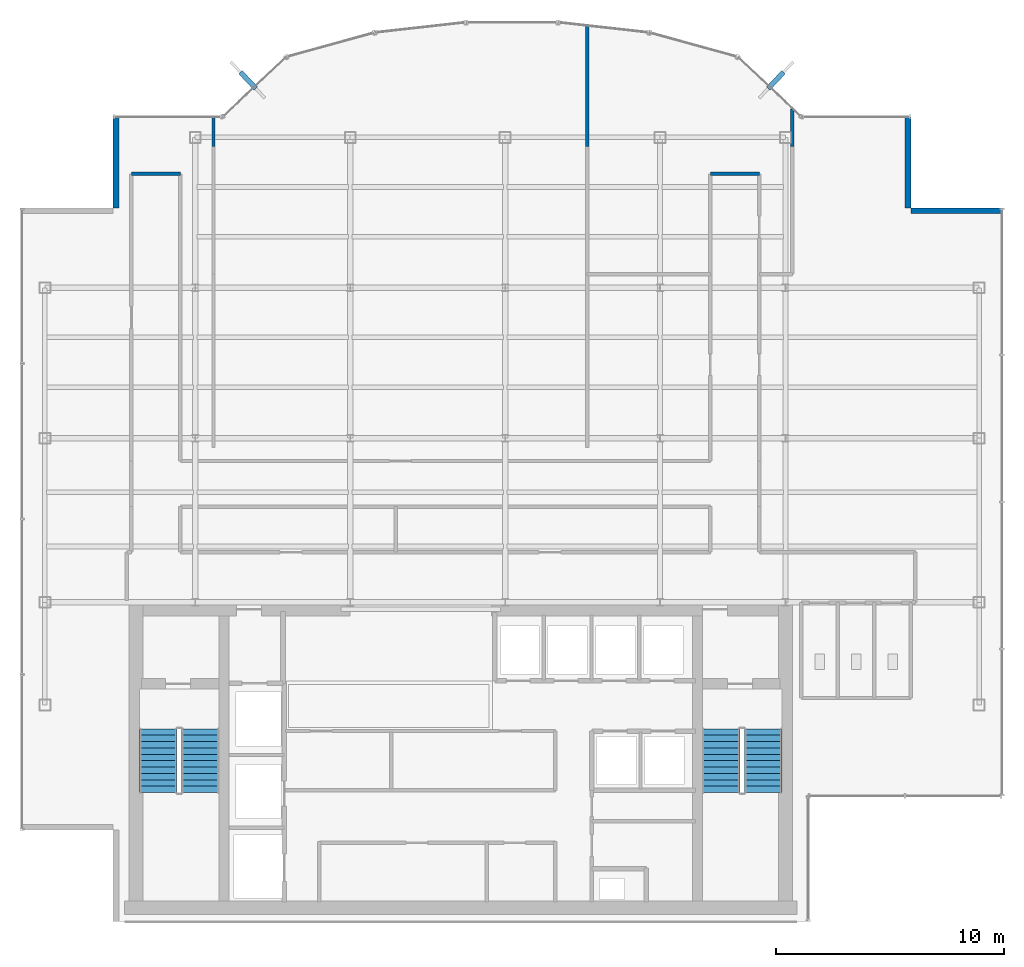
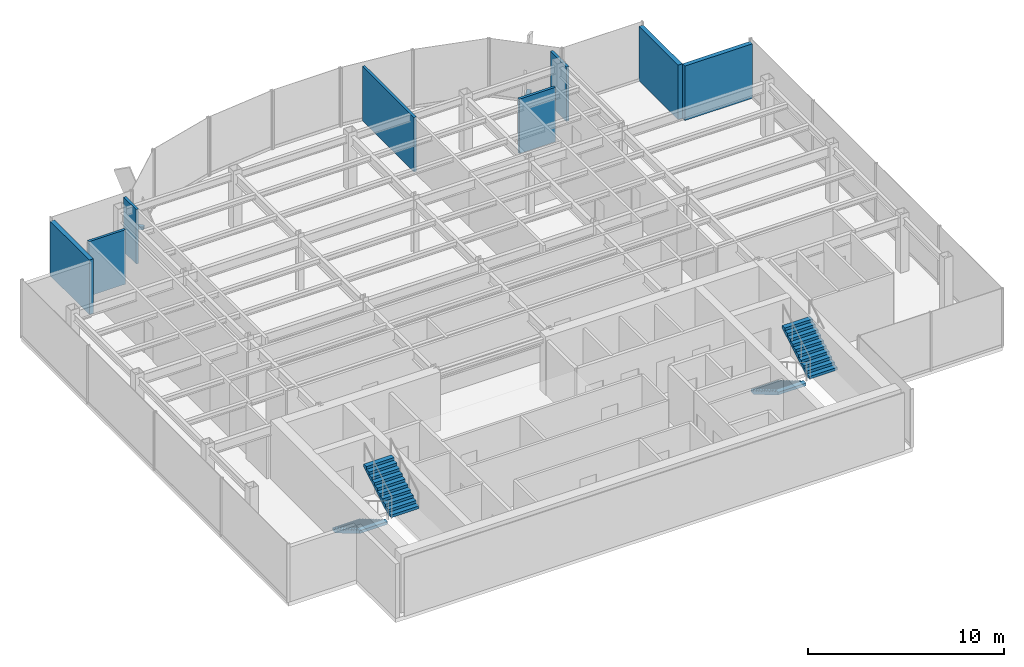
# One storey, part 19 of 22: 8 walls, 4 stair flights, 2 discrete accessories, 2 elements without a shape of their own.
"""IFC4 building model written with IfcOpenShell, lengths in metres."""

import ifcopenshell
import ifcopenshell.guid

model = None  # the IFC model being written
_history = None  # IfcOwnerHistory: only IFC2X3 demands one
_inside = {}  # id of a spatial element -> (the spatial element, [elements in it])
_under = {}  # id of a project, library or spatial element -> (it, [spatial elements below it])
_declared = {}  # id of a project -> (the project, [libraries it declares])
_typed = {}  # id of a type object -> (the type object, [elements of that type])
_made_of = {}  # id of a material, layer set ... -> (it, [elements and type objects made of it])


def new_model(schema):
    """Start an empty IFC model of exactly this schema.

    Asked for "IFC4X3", IfcOpenShell would pick the latest addendum, in which some entities
    have other attributes; the version numbers below select the first issue.
    IFC2X3 requires an IfcOwnerHistory on every rooted entity: one is made here for all.
    """
    global model, _history
    if schema == "IFC4X3":
        model = ifcopenshell.file(schema_version=(4, 3, 0, 0))
    else:
        model = ifcopenshell.file(schema=schema)
    _inside.clear()
    _under.clear()
    _declared.clear()
    _typed.clear()
    _made_of.clear()
    _history = None
    if model.schema == "IFC2X3":
        org = make("IfcOrganization", Name="unknown")
        user = make(
            "IfcPersonAndOrganization",
            ThePerson=make("IfcPerson", FamilyName="unknown"),
            TheOrganization=org,
        )
        app = make(
            "IfcApplication",
            ApplicationDeveloper=org,
            Version="unknown",
            ApplicationFullName="unknown",
            ApplicationIdentifier="unknown",
        )
        _history = make(
            "IfcOwnerHistory",
            OwningUser=user,
            OwningApplication=app,
            ChangeAction="ADDED",
            CreationDate=0,
        )
    return model


def make(cls, **values):
    """One entity of the class cls with the attributes given. An attribute that is None is left unset."""
    return model.create_entity(
        cls, **{name: value for name, value in values.items() if value is not None}
    )


def rooted(cls, **values):
    """An entity with a GlobalId (a new one), such as an element, a storey or a relation."""
    return make(cls, GlobalId=ifcopenshell.guid.new(), OwnerHistory=_history, **values)


def si_unit(unit_type, name, prefix=None):
    """IfcSIUnit, for example si_unit("LENGTHUNIT", "METRE", prefix="MILLI")."""
    return make("IfcSIUnit", UnitType=unit_type, Prefix=prefix, Name=name)


def derived_unit(unit_type, elements):
    """IfcDerivedUnit: a product of units, each with its exponent."""
    return make(
        "IfcDerivedUnit",
        Elements=[
            make("IfcDerivedUnitElement", Unit=unit, Exponent=power)
            for unit, power in elements
        ],
        UnitType=unit_type,
    )


def assignment(units):
    """IfcUnitAssignment: the units of a project."""
    return None if units is None else make("IfcUnitAssignment", Units=units)


def point(xyz):
    """IfcCartesianPoint."""
    return None if xyz is None else make("IfcCartesianPoint", Coordinates=xyz)


def direction(xyz):
    """IfcDirection."""
    return None if xyz is None else make("IfcDirection", DirectionRatios=xyz)


def frame(location, z_axis=None, x_axis=None):
    """IfcAxis2Placement3D, a coordinate frame: its origin and axes. An axis left out is left unset."""
    return make(
        "IfcAxis2Placement3D",
        Location=point(location),
        Axis=direction(z_axis),
        RefDirection=direction(x_axis),
    )


def frame_2d(location, x_axis=None):
    """IfcAxis2Placement2D, a coordinate frame in the plane: its origin and x axis."""
    return make(
        "IfcAxis2Placement2D", Location=point(location), RefDirection=direction(x_axis)
    )


def origin():
    """The frame at (0, 0, 0) with its axes left unset."""
    return frame((0.0, 0.0, 0.0))


def origin_2d():
    """The frame at (0, 0) in the plane with its x axis left unset."""
    return frame_2d((0.0, 0.0))


def place(relative_to, where):
    """IfcLocalPlacement: puts the frame where relative to a parent placement (None: the world)."""
    return make(
        "IfcLocalPlacement", PlacementRelTo=relative_to, RelativePlacement=where
    )


def context(
    kind, dimensions, precision=None, world=None, true_north=None, identifier=None
):
    """IfcGeometricRepresentationContext, for example the 3D "Model" context."""
    return make(
        "IfcGeometricRepresentationContext",
        ContextIdentifier=identifier,
        ContextType=kind,
        CoordinateSpaceDimension=dimensions,
        Precision=precision,
        WorldCoordinateSystem=world,
        TrueNorth=true_north,
    )


def subcontext(parent, identifier, kind, view, scale=None):
    """IfcGeometricRepresentationSubContext, for example "Body" below "Model"."""
    return make(
        "IfcGeometricRepresentationSubContext",
        ContextIdentifier=identifier,
        ContextType=kind,
        ParentContext=parent,
        TargetScale=scale,
        TargetView=view,
    )


def project(units=None, contexts=None):
    """IfcProject with its units and contexts."""
    return rooted(
        "IfcProject",
        Name="project",
        RepresentationContexts=contexts,
        UnitsInContext=assignment(units),
    )


def spatial(cls, under=None, at=None, **own):
    """A site, building, storey or space (cls), placed at a placement, below another one or the project."""
    s = rooted(cls, ObjectPlacement=at, **own)
    if under is not None:
        _under.setdefault(under.id(), (under, []))[1].append(s)
    return s


def polyline(points):
    """IfcPolyline through the points."""
    return make("IfcPolyline", Points=[point(p) for p in points])


def profile(cls, at=None, kind="AREA", **sizes):
    """A parametric profile (cls). Its sizes go by their IFC names, for example OverallWidth=200.0."""
    return make(cls, ProfileType=kind, Position=at, **sizes)


def rectangle(**sizes):
    """IfcRectangleProfileDef."""
    return profile("IfcRectangleProfileDef", **sizes)


def outline(outer, holes=None, kind="AREA"):
    """IfcArbitraryClosedProfileDef: a profile drawn as a closed curve; with holes, ...WithVoids."""
    if holes is None:
        return make("IfcArbitraryClosedProfileDef", ProfileType=kind, OuterCurve=outer)
    return make(
        "IfcArbitraryProfileDefWithVoids",
        ProfileType=kind,
        OuterCurve=outer,
        InnerCurves=holes,
    )


def extrude(swept, where, along, depth):
    """IfcExtrudedAreaSolid: the profile swept, set in the frame where, extruded along a direction by depth."""
    return make(
        "IfcExtrudedAreaSolid",
        SweptArea=swept,
        Position=where,
        ExtrudedDirection=direction(along),
        Depth=depth,
    )


def shape(context_of_items, identifier, shape_type, items):
    """IfcShapeRepresentation: the items that make up one representation, for example the "Body"."""
    return make(
        "IfcShapeRepresentation",
        ContextOfItems=context_of_items,
        RepresentationIdentifier=identifier,
        RepresentationType=shape_type,
        Items=items,
    )


def source(mapping_origin, context_of_items, identifier, shape_type, items):
    """IfcRepresentationMap: a shape defined once, which mapped items show again and again."""
    return make(
        "IfcRepresentationMap",
        MappingOrigin=mapping_origin,
        MappedRepresentation=shape(context_of_items, identifier, shape_type, items),
    )


def transform(
    local_origin,
    x_axis=None,
    y_axis=None,
    z_axis=None,
    scale=None,
    scale2=None,
    scale3=None,
    uniform=True,
):
    """IfcCartesianTransformationOperator3D, or its non-uniform kind. x_axis, y_axis, z_axis: its Axis1, 2, 3."""
    if uniform:
        return make(
            "IfcCartesianTransformationOperator3D",
            Axis1=direction(x_axis),
            Axis2=direction(y_axis),
            LocalOrigin=point(local_origin),
            Scale=scale,
            Axis3=direction(z_axis),
        )
    return make(
        "IfcCartesianTransformationOperator3DnonUniform",
        Axis1=direction(x_axis),
        Axis2=direction(y_axis),
        LocalOrigin=point(local_origin),
        Scale=scale,
        Axis3=direction(z_axis),
        Scale2=scale2,
        Scale3=scale3,
    )


def mapped(mapping_source, mapping_target):
    """IfcMappedItem: shows the shape of a source again, moved by a transform."""
    return make(
        "IfcMappedItem", MappingSource=mapping_source, MappingTarget=mapping_target
    )


def material(Name=None, Category=None):
    """IfcMaterial."""
    return make("IfcMaterial", Name=Name, Category=Category)


def layer(
    of_material, thickness, ventilated=None, Name=None, Category=None, Priority=None
):
    """IfcMaterialLayer: one layer of a wall or slab, of a material (None: an air gap)."""
    return make(
        "IfcMaterialLayer",
        Material=of_material,
        LayerThickness=thickness,
        IsVentilated=ventilated,
        Name=Name,
        Category=Category,
        Priority=Priority,
    )


def layer_set(layers, Name=None):
    """IfcMaterialLayerSet."""
    return make("IfcMaterialLayerSet", MaterialLayers=layers, LayerSetName=Name)


def made_of(thing, what):
    """Note that an element or type object is made of a material, layer set ...; save() writes the relation."""
    if what is not None:
        _made_of.setdefault(what.id(), (what, []))[1].append(thing)
    return thing


def type_object(cls, material=None, **own):
    """A type object (cls), such as IfcWallType, which elements share."""
    return made_of(rooted(cls, **own), material)


def element(
    cls,
    number,
    at=None,
    inside=None,
    cuts=None,
    type_object=None,
    material=None,
    context=None,
    identifier="Body",
    shape_type=None,
    held_by="IfcProductDefinitionShape",
    body=None,
    shapes=None,
    **own,
):
    """One element of the class cls, such as IfcWall. Its Tag is "e" and its number.

    at: its placement. inside: the storey or other place that contains it. cuts: it is an
    opening in that element (IfcRelVoidsElement). A single representation is given by context,
    identifier, shape_type and body (its items); several are given by shapes. held_by: the class
    of the entity that holds the representations. save() writes the other relations.
    """
    e = rooted(cls, Tag="e%d" % number, ObjectPlacement=at, **own)
    if body is not None:
        shapes = [shape(context, identifier, shape_type, body)]
    if shapes is not None:
        e.Representation = make(held_by, Representations=shapes)
    if inside is not None:
        _inside.setdefault(inside.id(), (inside, []))[1].append(e)
    if cuts is not None:
        rooted(
            "IfcRelVoidsElement", RelatingBuildingElement=cuts, RelatedOpeningElement=e
        )
    if type_object is not None:
        _typed.setdefault(type_object.id(), (type_object, []))[1].append(e)
    return made_of(e, material)


def aggregate(whole, parts):
    """IfcRelAggregates: a whole, such as a stair, and the parts it consists of."""
    return rooted("IfcRelAggregates", RelatingObject=whole, RelatedObjects=parts)


def save(model, path):
    """Write the relations noted so far, then the file.

    IfcRelAggregates (storeys below a building ...), IfcRelContainedInSpatialStructure (elements
    in a storey), IfcRelDefinesByType, IfcRelAssociatesMaterial and IfcRelDeclares: one each for
    every whole, place, type object, material and project.
    """
    for whole, parts in _under.values():
        aggregate(whole, parts)
    for where, things in _inside.values():
        rooted(
            "IfcRelContainedInSpatialStructure",
            RelatedElements=things,
            RelatingStructure=where,
        )
    for kind, things in _typed.values():
        rooted("IfcRelDefinesByType", RelatedObjects=things, RelatingType=kind)
    for what, things in _made_of.values():
        rooted("IfcRelAssociatesMaterial", RelatedObjects=things, RelatingMaterial=what)
    for by, libraries in _declared.values():
        rooted("IfcRelDeclares", RelatingContext=by, RelatedDefinitions=libraries)
    model.write(path)


model = new_model("IFC4")

# Units and contexts
model_context = context("Model", 3, precision=1e-05, world=origin(), true_north=direction((0.0, 1.0)))
body_context = subcontext(model_context, "Body", "Model", "MODEL_VIEW")
ifc_project = project(units=[si_unit("LENGTHUNIT", "METRE"), si_unit("AREAUNIT", "SQUARE_METRE"), si_unit("VOLUMEUNIT", "CUBIC_METRE"), si_unit("PLANEANGLEUNIT", "RADIAN"), si_unit("MASSUNIT", "GRAM", prefix="KILO"), derived_unit("THERMALTRANSMITTANCEUNIT", [(si_unit("POWERUNIT", "WATT"), 1), (si_unit("LENGTHUNIT", "METRE"), -2), (si_unit("THERMODYNAMICTEMPERATUREUNIT", "KELVIN"), -1)])], contexts=[model_context])

# Site, building, storey
site_placement = place(None, origin())
site = spatial("IfcSite", under=ifc_project, at=site_placement, CompositionType="ELEMENT")
building_placement = place(site_placement, origin())
building = spatial("IfcBuilding", under=site, at=building_placement, Name="Skarnbrae Concourse Arena and Tower", CompositionType="ELEMENT")
storey_placement = place(building_placement, frame((0.0, 0.0, 262.449951171875)))
storey = spatial("IfcBuildingStorey", under=building, at=storey_placement, Name="L68", CompositionType="ELEMENT", Elevation=262.449951171875)

# Walls
ifc_material_1 = material(Name="Precast concrete 40 MPa (C40/50)", Category="concrete")
ifc_layer_1 = layer(ifc_material_1, 0.25)
ifc_layer_set_1 = layer_set([ifc_layer_1], Name="Precast concrete 40 MPa (C40/50)")
wall_type_1 = type_object("IfcWallType", Name="WALL-EXT-SPANDREL-250", PredefinedType="STANDARD", material=ifc_layer_set_1)
shared_shape_1 = source(origin(), body_context, "Body", "SweptSolid", [
    extrude(rectangle(XDim=4.0, YDim=0.25, at=frame_2d((2.0, 0.0))), origin(), (0.0, 0.0, 1.0), 3.400146484375),
])
for number, where, z_axis, x_axis, name in (
    (1, (43.0, 31.175048828125, 0.0), (0.0, 0.0, 1.0), (-1.0, 0.0, 0.0), "L68 Notched corner insulated return wall 05"),
    (2, (38.875, 31.300048828125, 0.0), (0.0, 0.0, 1.0), (0.0, 1.0, 0.0), "L68 Notched corner insulated return wall 06"),
    (3, (4.125, 35.300048828125, 0.0), (0.0, 0.0, 1.0), (0.0, -1.0, 0.0), "L68 Notched corner insulated return wall 16"),
):
    element("IfcWall", number, at=place(storey_placement, frame(where, z_axis=z_axis, x_axis=x_axis)), inside=storey, type_object=wall_type_1, Name=name, PredefinedType="STANDARD", context=body_context, shape_type="MappedRepresentation", body=[
        mapped(shared_shape_1, transform((0.0, 0.0, 0.0))),
    ])
ifc_material_2 = material(Name="Gypsum board on cold-formed steel studs", Category="steel")
ifc_layer_2 = layer(ifc_material_2, 0.14990234375)
ifc_layer_set_2 = layer_set([ifc_layer_2], Name="Gypsum board on cold-formed steel studs")
wall_type_2 = type_object("IfcWallType", Name="WALL-PART-150-1HR", PredefinedType="PARTITIONING", material=ifc_layer_set_2)
shared_shape_2 = source(origin(), body_context, "Body", "SweptSolid", [
    extrude(rectangle(XDim=2.14990234375, YDim=0.14990234375, at=frame_2d((1.074951171875, 0.0))), origin(), (0.0, 0.0, 1.0), 3.400146484375),
])
wall_1_placement = place(storey_placement, frame((4.800048828125, 32.800048828125, 0.0), z_axis=(0.0, 0.0, 1.0), x_axis=(1.0, 0.0, 0.0)))
element("IfcWall", 4, at=wall_1_placement, inside=storey, type_object=wall_type_2, Name="L68 Interior partition wall W-L68-COR-06", PredefinedType="PARTITIONING", context=body_context, shape_type="MappedRepresentation", body=[
    mapped(shared_shape_2, transform((0.0, 0.0, 0.0))),
])
shared_shape_3 = source(origin(), body_context, "Body", "SweptSolid", [
    extrude(rectangle(XDim=2.150146484375, YDim=0.14990234375, at=frame_2d((1.0751953125, 0.0))), origin(), (0.0, 0.0, 1.0), 3.400146484375),
])
wall_2_placement = place(storey_placement, frame((30.199951171875, 32.800048828125, 0.0), z_axis=(0.0, 0.0, 1.0), x_axis=(1.0, 0.0, 0.0)))
element("IfcWall", 5, at=wall_2_placement, inside=storey, type_object=wall_type_2, Name="L68 Interior partition wall W-L68-COR-10", PredefinedType="PARTITIONING", context=body_context, shape_type="MappedRepresentation", body=[
    mapped(shared_shape_3, transform((0.0, 0.0, 0.0))),
])
ifc_layer_3 = layer(ifc_material_2, 0.14990234375)
ifc_layer_set_3 = layer_set([ifc_layer_3], Name="Gypsum board on cold-formed steel studs")
wall_type_3 = type_object("IfcWallType", Name="WALL-PART-150", PredefinedType="PARTITIONING", material=ifc_layer_set_3)
shared_shape_4 = source(origin(), body_context, "Body", "SweptSolid", [
    extrude(rectangle(XDim=1.280029296875, YDim=0.14990234375, at=frame_2d((0.64013671875, 0.0))), origin(), (0.0, 0.0, 1.0), 3.400146484375),
])
wall_3_placement = place(storey_placement, frame((8.39990234375, 35.280029296875, 0.0), z_axis=(0.0, 0.0, 1.0), x_axis=(0.0, -1.0, 0.0)))
element("IfcWall", 6, at=wall_3_placement, inside=storey, type_object=wall_type_3, Name="L68 Interior partition wall W-L68-DEM-21", PredefinedType="PARTITIONING", context=body_context, shape_type="MappedRepresentation", body=[
    mapped(shared_shape_4, transform((0.0, 0.0, 0.0))),
])
shared_shape_5 = source(origin(), body_context, "Body", "SweptSolid", [
    extrude(rectangle(XDim=5.28271484375, YDim=0.14990234375, at=frame_2d((2.641357421875, 0.0))), origin(), (0.0, 0.0, 1.0), 3.400146484375),
])
wall_4_placement = place(storey_placement, frame((24.800048828125, 39.28271484375, 0.0), z_axis=(0.0, 0.0, 1.0), x_axis=(0.0, -1.0, 0.0)))
element("IfcWall", 7, at=wall_4_placement, inside=storey, type_object=wall_type_3, Name="L68 Interior partition wall W-L68-DEM-27", PredefinedType="PARTITIONING", context=body_context, shape_type="MappedRepresentation", body=[
    mapped(shared_shape_5, transform((0.0, 0.0, 0.0))),
])
shared_shape_6 = source(origin(), body_context, "Body", "SweptSolid", [
    extrude(rectangle(XDim=1.649169921875, YDim=0.14990234375, at=frame_2d((0.82470703125, 0.0))), origin(), (0.0, 0.0, 1.0), 3.400146484375),
])
wall_5_placement = place(storey_placement, frame((33.800048828125, 35.649169921875, 0.0), z_axis=(0.0, 0.0, 1.0), x_axis=(0.0, -1.0, 0.0)))
element("IfcWall", 8, at=wall_5_placement, inside=storey, type_object=wall_type_3, Name="L68 Interior partition wall W-L68-DEM-29", PredefinedType="PARTITIONING", context=body_context, shape_type="MappedRepresentation", body=[
    mapped(shared_shape_6, transform((0.0, 0.0, 0.0))),
])

# Stair, stair flights
ifc_material_3 = material(Name="Concrete 40 MPa (C40/50)", Category="concrete")
stair_type = type_object("IfcStairType", Name="STAIR-DOGLEG-1650", PredefinedType="HALF_TURN_STAIR", material=ifc_material_3)
stair_1_placement = place(storey_placement, origin())
stair_1 = element("IfcStair", 9, at=stair_1_placement, inside=storey, type_object=stair_type, Name="L68 Protected Exit Stair ST-1", PredefinedType="HALF_TURN_STAIR")
stair_flight_type = type_object("IfcStairFlightType", Name="FLIGHT-STRAIGHT-1650", PredefinedType="STRAIGHT", material=ifc_material_3)
shared_shape_7 = source(origin(), body_context, "Body", "SweptSolid", [
    extrude(outline(polyline([(0.0, 0.0), (0.0, 0.166015625), (0.280029296875, 0.166015625), (0.280029296875, 0.331787109375), (0.56005859375, 0.331787109375), (0.56005859375, 0.497802734375), (0.840087890625, 0.497802734375), (0.840087890625, 0.66357421875), (1.1201171875, 0.66357421875), (1.1201171875, 0.82958984375), (1.39990234375, 0.82958984375), (1.39990234375, 0.995361328125), (1.679931640625, 0.995361328125), (1.679931640625, 1.161376953125), (1.9599609375, 1.161376953125), (1.9599609375, 1.327392578125), (2.239990234375, 1.327392578125), (2.239990234375, 1.4931640625), (2.52001953125, 1.4931640625), (2.52001953125, 1.6591796875), (2.800048828125, 1.6591796875), (2.800048828125, 1.824951171875), (2.800048828125, 1.48486328125), (0.2939453125, 0.0), (0.0, 0.0)])), frame((0.0, 0.824951171875, 0.0), z_axis=(0.0, -1.0, 0.0), x_axis=(1.0, 0.0, 0.0)), (0.0, 0.0, 1.0), 1.64990234375),
])
stair_flight_1_placement = place(storey_placement, frame((5.97509765625, 8.449951171875, 0.0), z_axis=(0.0, 0.0, 1.0), x_axis=(0.0, -1.0, 0.0)))
stair_flight_1 = element("IfcStairFlight", 10, at=stair_flight_1_placement, type_object=stair_flight_type, Name="ST-1 flight 1", NumberOfRisers=11, NumberOfTreads=10, PredefinedType="STRAIGHT", RiserHeight=0.165909091, TreadLength=0.28, context=body_context, shape_type="MappedRepresentation", body=[
    mapped(shared_shape_7, transform((0.0, 0.0, 0.0))),
])
stair_flight_2_placement = place(storey_placement, frame((7.824951171875, 5.64990234375, 1.824951171875), z_axis=(0.0, 0.0, 1.0), x_axis=(0.0, 1.0, 0.0)))
stair_flight_2 = element("IfcStairFlight", 11, at=stair_flight_2_placement, type_object=stair_flight_type, Name="ST-1 flight 2", NumberOfRisers=11, NumberOfTreads=10, PredefinedType="STRAIGHT", RiserHeight=0.165909091, TreadLength=0.28, context=body_context, shape_type="MappedRepresentation", body=[
    mapped(shared_shape_7, transform((0.0, 0.0, 0.0))),
])
aggregate(stair_1, [stair_flight_1, stair_flight_2])

stair_2_placement = place(storey_placement, origin())
stair_2 = element("IfcStair", 12, at=stair_2_placement, inside=storey, type_object=stair_type, Name="L68 Protected Exit Stair ST-2", PredefinedType="HALF_TURN_STAIR")
stair_flight_3_placement = place(storey_placement, frame((30.675048828125, 8.449951171875, 0.0), z_axis=(0.0, 0.0, 1.0), x_axis=(0.0, -1.0, 0.0)))
stair_flight_3 = element("IfcStairFlight", 13, at=stair_flight_3_placement, type_object=stair_flight_type, Name="ST-2 flight 1", NumberOfRisers=11, NumberOfTreads=10, PredefinedType="STRAIGHT", RiserHeight=0.165909091, TreadLength=0.28, context=body_context, shape_type="MappedRepresentation", body=[
    mapped(shared_shape_7, transform((0.0, 0.0, 0.0))),
])
stair_flight_4_placement = place(storey_placement, frame((32.52490234375, 5.64990234375, 1.824951171875), z_axis=(0.0, 0.0, 1.0), x_axis=(0.0, 1.0, 0.0)))
stair_flight_4 = element("IfcStairFlight", 14, at=stair_flight_4_placement, type_object=stair_flight_type, Name="ST-2 flight 2", NumberOfRisers=11, NumberOfTreads=10, PredefinedType="STRAIGHT", RiserHeight=0.165909091, TreadLength=0.28, context=body_context, shape_type="MappedRepresentation", body=[
    mapped(shared_shape_7, transform((0.0, 0.0, 0.0))),
])
aggregate(stair_2, [stair_flight_3, stair_flight_4])

# Discrete accessories
ifc_material_4 = material(Name="Bronze anodised aluminium 6063-T6", Category="aluminium")
discrete_accessory_type = type_object("IfcDiscreteAccessoryType", Name="ACC-FIN-BRACKET", PredefinedType="BRACKET", material=ifc_material_4)
shared_shape_8 = source(origin(), body_context, "Body", "SweptSolid", [
    extrude(rectangle(XDim=0.219970703125, YDim=0.97998046875, at=origin_2d()), origin(), (0.0, 0.0, 1.0), 0.179931640625),
])
for number, where, z_axis, x_axis, name in (
    (15, (33.0791015625, 36.904541015625, -0.02978515625), (0.0, 0.0, 1.0), (0.728131751529, -0.685437198009, 0.0), "L68 Bronze fin foot support bracket 08"),
    (16, (9.9208984375, 36.904541015625, -0.02978515625), (0.0, 0.0, 1.0), (0.728131751529, 0.685437198009, 0.0), "L68 Bronze fin foot support bracket 14"),
):
    element("IfcDiscreteAccessory", number, at=place(storey_placement, frame(where, z_axis=z_axis, x_axis=x_axis)), inside=storey, type_object=discrete_accessory_type, Name=name, PredefinedType="BRACKET", context=body_context, shape_type="MappedRepresentation", body=[
        mapped(shared_shape_8, transform((0.0, 0.0, 0.0))),
    ])

save(model, "model.ifc")
